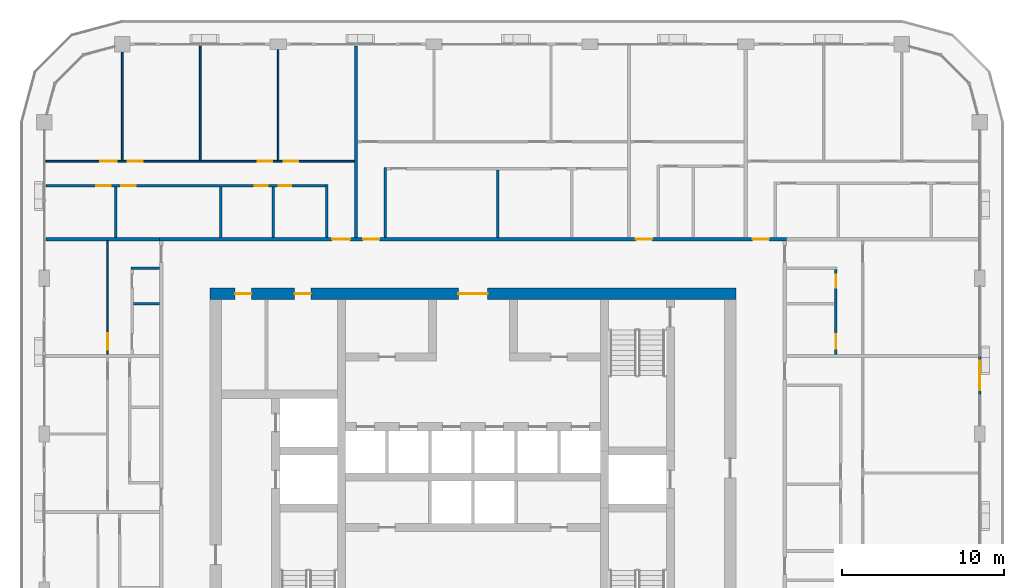
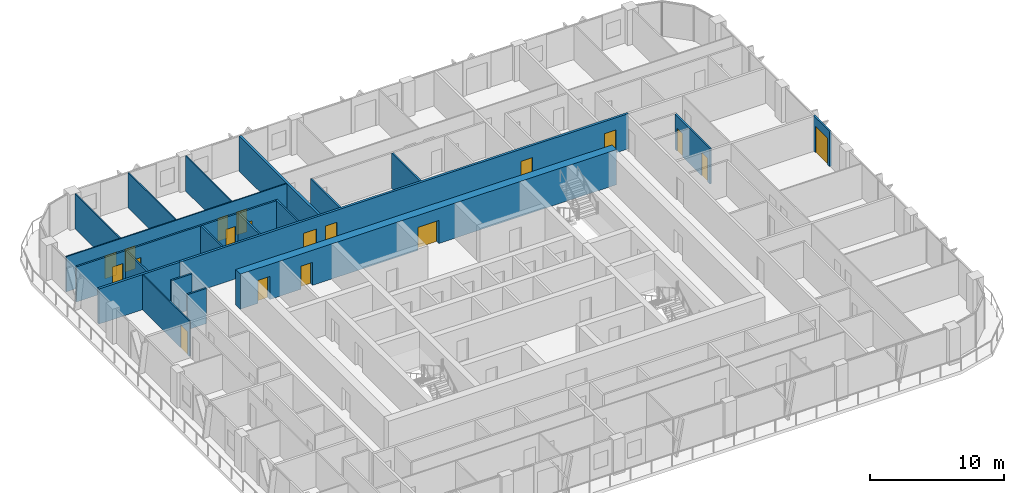
# One storey, part 13 of 22: 20 walls, 19 doors, 19 openings.
"""IFC4 building model written with IfcOpenShell, lengths in metres."""

from ifc_helpers import new_model, si_unit, direction, frame, frame_2d, origin, place, context, subcontext, project, spatial, rectangle, extrude, material, layer, layer_set, type_object, element, fill, save


model = new_model("IFC4")

# Units and contexts
model_context = context("Model", 3, precision=1e-05, world=origin(), true_north=direction((0.0, 1.0)))
body_context = subcontext(model_context, "Body", "Model", "MODEL_VIEW")
ifc_project = project(units=[si_unit("LENGTHUNIT", "METRE"), si_unit("AREAUNIT", "SQUARE_METRE"), si_unit("VOLUMEUNIT", "CUBIC_METRE"), si_unit("PLANEANGLEUNIT", "RADIAN"), si_unit("MASSUNIT", "GRAM", prefix="KILO")], contexts=[model_context])

# Site, building, storey
site_placement = place(None, origin())
site = spatial("IfcSite", under=ifc_project, at=site_placement, CompositionType="ELEMENT")
building_placement = place(site_placement, origin())
building = spatial("IfcBuilding", under=site, at=building_placement, Name="Madar Terraces", CompositionType="ELEMENT")
storey_placement = place(building_placement, frame((0.0, 0.0, 208.800048828125)))
storey = spatial("IfcBuildingStorey", under=building, at=storey_placement, Name="L54", CompositionType="ELEMENT", Elevation=208.800048828125)

# Wall, openings, doors
ifc_material_1 = material(Name="Concrete C60/75", Category="concrete")
ifc_layer_1 = layer(ifc_material_1, 0.699951171875)
ifc_layer_set_1 = layer_set([ifc_layer_1], Name="Concrete C60/75 (CRW4 RC wall 700)")
wall_type_1 = type_object("IfcWallType", Name="CRW4 RC wall 700", PredefinedType="SHEAR", material=ifc_layer_set_1)
wall_1_placement = place(storey_placement, frame((15.0, 37.449951171875, 0.0), z_axis=(0.0, 0.0, 1.0), x_axis=(1.0, 0.0, 0.0)))
wall_1 = element("IfcWall", 1, at=wall_1_placement, inside=storey, type_object=wall_type_1, Name="CORE OUTER WALL", PredefinedType="SHEAR", context=body_context, shape_type="SweptSolid", body=[
    extrude(rectangle(XDim=32.39990234375, YDim=0.699951171875, at=frame_2d((16.199951171875, 0.0))), origin(), (0.0, 0.0, 1.0), 3.199951171875),
])
opening_1_placement = place(wall_1_placement, frame((15.300048828125, 0.0, 0.0)))
opening_1 = element("IfcOpeningElement", 2, at=opening_1_placement, cuts=wall_1, Name="Opening KD1", PredefinedType="OPENING", context=body_context, shape_type="SweptSolid", body=[
    extrude(rectangle(XDim=1.800048828125, YDim=2.10009765625, at=frame_2d((0.89990234375, 1.050048828125))), frame((0.0, 0.35986328125, 0.0), z_axis=(0.0, -1.0, 0.0), x_axis=(1.0, 0.0, 0.0)), (0.0, 0.0, 1.0), 0.719970703125),
])
opening_2_placement = place(wall_1_placement, frame((1.544189453125, 0.0, 0.0)))
opening_2 = element("IfcOpeningElement", 3, at=opening_2_placement, cuts=wall_1, Name="Opening KD2", PredefinedType="OPENING", context=body_context, shape_type="SweptSolid", body=[
    extrude(rectangle(XDim=1.0, YDim=2.10009765625, at=frame_2d((0.5, 1.050048828125))), frame((0.0, 0.35986328125, 0.0), z_axis=(0.0, -1.0, 0.0), x_axis=(1.0, 0.0, 0.0)), (0.0, 0.0, 1.0), 0.719970703125),
])
opening_3_placement = place(wall_1_placement, frame((5.21923828125, 0.0, 0.0)))
opening_3 = element("IfcOpeningElement", 4, at=opening_3_placement, cuts=wall_1, Name="Opening KD2", PredefinedType="OPENING", context=body_context, shape_type="SweptSolid", body=[
    extrude(rectangle(XDim=1.0, YDim=2.10009765625, at=frame_2d((0.5, 1.050048828125))), frame((0.0, 0.35986328125, 0.0), z_axis=(0.0, -1.0, 0.0), x_axis=(1.0, 0.0, 0.0)), (0.0, 0.0, 1.0), 0.719970703125),
])
ifc_material_2 = material(Name="Steel door leaf", Category="steel")
door_type_1 = type_object("IfcDoorType", Name="Lobby door pair 1800 x 2100", OperationType="DOUBLE_DOOR_SINGLE_SWING", PredefinedType="DOOR", material=ifc_material_2)
door_1_placement = place(opening_1_placement, origin())
door_1 = element("IfcDoor", 5, at=door_1_placement, inside=storey, type_object=door_type_1, Name="LIFT LOBBY DOOR", OperationType="DOUBLE_DOOR_SINGLE_SWING", OverallHeight=2.10009765625, OverallWidth=1.800048828125, PredefinedType="DOOR", context=body_context, shape_type="SweptSolid", body=[
    extrude(rectangle(XDim=1.800048828125, YDim=2.10009765625, at=frame_2d((0.89990234375, 1.050048828125))), frame((0.0, 0.02490234375, 0.0), z_axis=(0.0, -1.0, 0.0), x_axis=(1.0, 0.0, 0.0)), (0.0, 0.0, 1.0), 0.050048828125),
])
fill(opening_1, door_1)
ifc_material_3 = material(Name="Steel door leaf", Category="steel")
door_type_2 = type_object("IfcDoorType", Name="Service room door 1000 x 2100", OperationType="NOTDEFINED", PredefinedType="DOOR", material=ifc_material_3)
door_2_placement = place(opening_2_placement, origin())
door_2 = element("IfcDoor", 6, at=door_2_placement, inside=storey, type_object=door_type_2, Name="SERVICE ROOM DOOR", OperationType="SINGLE_SWING_LEFT", OverallHeight=2.10009765625, OverallWidth=1.0, PredefinedType="DOOR", context=body_context, shape_type="SweptSolid", body=[
    extrude(rectangle(XDim=1.0, YDim=2.10009765625, at=frame_2d((0.5, 1.050048828125))), frame((0.0, 0.02490234375, 0.0), z_axis=(0.0, -1.0, 0.0), x_axis=(1.0, 0.0, 0.0)), (0.0, 0.0, 1.0), 0.050048828125),
])
fill(opening_2, door_2)
door_3_placement = place(opening_3_placement, origin())
door_3 = element("IfcDoor", 7, at=door_3_placement, inside=storey, type_object=door_type_2, Name="SERVICE ROOM DOOR", OperationType="SINGLE_SWING_RIGHT", OverallHeight=2.10009765625, OverallWidth=1.0, PredefinedType="DOOR", context=body_context, shape_type="SweptSolid", body=[
    extrude(rectangle(XDim=1.0, YDim=2.10009765625, at=frame_2d((0.5, 1.050048828125))), frame((0.0, 0.02490234375, 0.0), z_axis=(0.0, -1.0, 0.0), x_axis=(1.0, 0.0, 0.0)), (0.0, 0.0, 1.0), 0.050048828125),
])
fill(opening_3, door_3)

# Wall, opening, door
ifc_material_4 = material(Name="Aluminium composite panel, black, over insulated backing", Category="aluminium")
ifc_layer_2 = layer(ifc_material_4, 0.14990234375)
ifc_layer_set_2 = layer_set([ifc_layer_2], Name="Facade bay panel 150")
wall_type_2 = type_object("IfcWallType", Name="Facade bay panel 150", PredefinedType="SOLIDWALL", material=ifc_layer_set_2)
wall_2_placement = place(storey_placement, frame((62.39990234375, 31.199951171875, 0.0), z_axis=(0.0, 0.0, 1.0), x_axis=(0.0, 1.0, 0.0)))
wall_2 = element("IfcWall", 8, at=wall_2_placement, inside=storey, type_object=wall_type_2, Name="Facade bay panel", PredefinedType="SOLIDWALL", context=body_context, shape_type="SweptSolid", body=[
    extrude(rectangle(XDim=2.400146484375, YDim=0.14990234375, at=frame_2d((1.2001953125, 0.0))), origin(), (0.0, 0.0, 1.0), 3.199951171875),
])
opening_4_placement = place(wall_2_placement, frame((0.300048828125, 0.0, 0.0)))
opening_4 = element("IfcOpeningElement", 9, at=opening_4_placement, cuts=wall_2, Name="Opening ED1", PredefinedType="OPENING", context=body_context, shape_type="SweptSolid", body=[
    extrude(rectangle(XDim=1.800048828125, YDim=2.39990234375, at=frame_2d((0.89990234375, 1.199951171875))), frame((0.0, 0.0849609375, 0.0), z_axis=(0.0, -1.0, 0.0), x_axis=(1.0, 0.0, 0.0)), (0.0, 0.0, 1.0), 0.169921875),
])
ifc_material_5 = material(Name="Glass, clear, with black aluminium frame", Category="aluminium")
door_type_3 = type_object("IfcDoorType", Name="Balcony and terrace sliding door 1800 x 2400", OperationType="SLIDING_TO_LEFT", PredefinedType="DOOR", material=ifc_material_5)
door_4_placement = place(opening_4_placement, origin())
door_4 = element("IfcDoor", 10, at=door_4_placement, inside=storey, type_object=door_type_3, Name="Balcony door", OperationType="SLIDING_TO_RIGHT", OverallHeight=2.39990234375, OverallWidth=1.800048828125, PredefinedType="DOOR", context=body_context, shape_type="SweptSolid", body=[
    extrude(rectangle(XDim=1.800048828125, YDim=2.39990234375, at=frame_2d((0.89990234375, 1.199951171875))), frame((0.0, 0.02490234375, 0.0), z_axis=(0.0, -1.0, 0.0), x_axis=(1.0, 0.0, 0.0)), (0.0, 0.0, 1.0), 0.050048828125),
])
fill(opening_4, door_4)

# Walls
ifc_material_6 = material(Name="Gypsum board on steel studs", Category="steel")
ifc_layer_3 = layer(ifc_material_6, 0.10009765625)
ifc_layer_set_3 = layer_set([ifc_layer_3], Name="Flat partition 100")
wall_type_3 = type_object("IfcWallType", Name="Flat partition 100", PredefinedType="PARTITIONING", material=ifc_layer_set_3)
wall_3_placement = place(storey_placement, frame((19.199951171875, 45.64990234375, 0.0), z_axis=(0.0, 0.0, 1.0), x_axis=(0.0, 1.0, 0.0)))
element("IfcWall", 11, at=wall_3_placement, inside=storey, type_object=wall_type_3, Name="Flat partition 100", PredefinedType="PARTITIONING", context=body_context, shape_type="SweptSolid", body=[
    extrude(rectangle(XDim=6.8251953125, YDim=0.10009765625, at=frame_2d((3.41259765625, 0.0))), origin(), (0.0, 0.0, 1.0), 3.199951171875),
])
wall_4_placement = place(storey_placement, frame((14.39990234375, 45.64990234375, 0.0), z_axis=(0.0, 0.0, 1.0), x_axis=(0.0, 1.0, 0.0)))
element("IfcWall", 12, at=wall_4_placement, inside=storey, type_object=wall_type_3, Name="Flat partition 100", PredefinedType="PARTITIONING", context=body_context, shape_type="SweptSolid", body=[
    extrude(rectangle(XDim=7.050048828125, YDim=0.10009765625, at=frame_2d((3.52490234375, 0.0))), origin(), (0.0, 0.0, 1.0), 3.199951171875),
])
wall_5_placement = place(storey_placement, frame((9.60009765625, 45.64990234375, 0.0), z_axis=(0.0, 0.0, 1.0), x_axis=(0.0, 1.0, 0.0)))
element("IfcWall", 13, at=wall_5_placement, inside=storey, type_object=wall_type_3, Name="Flat partition 100", PredefinedType="PARTITIONING", context=body_context, shape_type="SweptSolid", body=[
    extrude(rectangle(XDim=6.675048828125, YDim=0.10009765625, at=frame_2d((3.33740234375, 0.0))), origin(), (0.0, 0.0, 1.0), 3.199951171875),
])

# Wall, openings, doors
wall_6_placement = place(storey_placement, frame((4.89990234375, 45.60009765625, 0.0), z_axis=(0.0, 0.0, 1.0), x_axis=(1.0, 0.0, 0.0)))
wall_6 = element("IfcWall", 14, at=wall_6_placement, inside=storey, type_object=wall_type_3, Name="Flat partition 100", PredefinedType="PARTITIONING", context=body_context, shape_type="SweptSolid", body=[
    extrude(rectangle(XDim=19.0, YDim=0.10009765625, at=frame_2d((9.5, 0.0))), origin(), (0.0, 0.0, 1.0), 3.199951171875),
])
opening_5_placement = place(wall_6_placement, frame((14.64990234375, 0.0, 0.0)))
opening_5 = element("IfcOpeningElement", 15, at=opening_5_placement, cuts=wall_6, Name="Opening D2", PredefinedType="OPENING", context=body_context, shape_type="SweptSolid", body=[
    extrude(rectangle(XDim=0.89990234375, YDim=2.10009765625, at=frame_2d((0.449951171875, 1.050048828125))), frame((0.0, 0.06005859375, 0.0), z_axis=(0.0, -1.0, 0.0), x_axis=(1.0, 0.0, 0.0)), (0.0, 0.0, 1.0), 0.1201171875),
])
opening_6_placement = place(wall_6_placement, frame((13.050048828125, 0.0, 0.0)))
opening_6 = element("IfcOpeningElement", 16, at=opening_6_placement, cuts=wall_6, Name="Opening D2", PredefinedType="OPENING", context=body_context, shape_type="SweptSolid", body=[
    extrude(rectangle(XDim=0.89990234375, YDim=2.10009765625, at=frame_2d((0.449951171875, 1.050048828125))), frame((0.0, 0.06005859375, 0.0), z_axis=(0.0, -1.0, 0.0), x_axis=(1.0, 0.0, 0.0)), (0.0, 0.0, 1.0), 0.1201171875),
])
opening_7_placement = place(wall_6_placement, frame((5.050048828125, 0.0, 0.0)))
opening_7 = element("IfcOpeningElement", 17, at=opening_7_placement, cuts=wall_6, Name="Opening D2", PredefinedType="OPENING", context=body_context, shape_type="SweptSolid", body=[
    extrude(rectangle(XDim=0.89990234375, YDim=2.10009765625, at=frame_2d((0.449951171875, 1.050048828125))), frame((0.0, 0.06005859375, 0.0), z_axis=(0.0, -1.0, 0.0), x_axis=(1.0, 0.0, 0.0)), (0.0, 0.0, 1.0), 0.1201171875),
])
opening_8_placement = place(wall_6_placement, frame((3.35009765625, 0.0, 0.0)))
opening_8 = element("IfcOpeningElement", 18, at=opening_8_placement, cuts=wall_6, Name="Opening D3", PredefinedType="OPENING", context=body_context, shape_type="SweptSolid", body=[
    extrude(rectangle(XDim=1.0, YDim=2.10009765625, at=frame_2d((0.5, 1.050048828125))), frame((0.0, 0.06005859375, 0.0), z_axis=(0.0, -1.0, 0.0), x_axis=(1.0, 0.0, 0.0)), (0.0, 0.0, 1.0), 0.1201171875),
])
ifc_material_7 = material(Name="Timber door leaf", Category="wood")
door_type_4 = type_object("IfcDoorType", Name="Flat living room door 1000", OperationType="NOTDEFINED", PredefinedType="DOOR", material=ifc_material_7)
door_5_placement = place(opening_8_placement, origin())
door_5 = element("IfcDoor", 19, at=door_5_placement, inside=storey, type_object=door_type_4, Name="Flat living room door 1000", OperationType="SINGLE_SWING_RIGHT", OverallHeight=2.10009765625, OverallWidth=1.0, PredefinedType="DOOR", context=body_context, shape_type="SweptSolid", body=[
    extrude(rectangle(XDim=1.0, YDim=2.10009765625, at=frame_2d((0.5, 1.050048828125))), frame((0.0, 0.02490234375, 0.0), z_axis=(0.0, -1.0, 0.0), x_axis=(1.0, 0.0, 0.0)), (0.0, 0.0, 1.0), 0.050048828125),
])
fill(opening_8, door_5)
ifc_material_8 = material(Name="Timber door leaf", Category="wood")
door_type_5 = type_object("IfcDoorType", Name="Flat room door 900", OperationType="NOTDEFINED", PredefinedType="DOOR", material=ifc_material_8)
door_6_placement = place(opening_5_placement, origin())
door_6 = element("IfcDoor", 20, at=door_6_placement, inside=storey, type_object=door_type_5, Name="Flat room door 900", OperationType="SINGLE_SWING_LEFT", OverallHeight=2.10009765625, OverallWidth=0.89990234375, PredefinedType="DOOR", context=body_context, shape_type="SweptSolid", body=[
    extrude(rectangle(XDim=0.89990234375, YDim=2.10009765625, at=frame_2d((0.449951171875, 1.050048828125))), frame((0.0, 0.02490234375, 0.0), z_axis=(0.0, -1.0, 0.0), x_axis=(1.0, 0.0, 0.0)), (0.0, 0.0, 1.0), 0.050048828125),
])
fill(opening_5, door_6)
door_7_placement = place(opening_6_placement, origin())
door_7 = element("IfcDoor", 21, at=door_7_placement, inside=storey, type_object=door_type_5, Name="Flat room door 900", OperationType="SINGLE_SWING_RIGHT", OverallHeight=2.10009765625, OverallWidth=0.89990234375, PredefinedType="DOOR", context=body_context, shape_type="SweptSolid", body=[
    extrude(rectangle(XDim=0.89990234375, YDim=2.10009765625, at=frame_2d((0.449951171875, 1.050048828125))), frame((0.0, 0.02490234375, 0.0), z_axis=(0.0, -1.0, 0.0), x_axis=(1.0, 0.0, 0.0)), (0.0, 0.0, 1.0), 0.050048828125),
])
fill(opening_6, door_7)
door_8_placement = place(opening_7_placement, origin())
door_8 = element("IfcDoor", 22, at=door_8_placement, inside=storey, type_object=door_type_5, Name="Flat room door 900", OperationType="SINGLE_SWING_LEFT", OverallHeight=2.10009765625, OverallWidth=0.89990234375, PredefinedType="DOOR", context=body_context, shape_type="SweptSolid", body=[
    extrude(rectangle(XDim=0.89990234375, YDim=2.10009765625, at=frame_2d((0.449951171875, 1.050048828125))), frame((0.0, 0.02490234375, 0.0), z_axis=(0.0, -1.0, 0.0), x_axis=(1.0, 0.0, 0.0)), (0.0, 0.0, 1.0), 0.050048828125),
])
fill(opening_7, door_8)

# Wall, opening, door
wall_7_placement = place(storey_placement, frame((8.699951171875, 33.699951171875, 0.0), z_axis=(0.0, 0.0, 1.0), x_axis=(0.0, 1.0, 0.0)))
wall_7 = element("IfcWall", 23, at=wall_7_placement, inside=storey, type_object=wall_type_3, Name="Flat partition 100", PredefinedType="PARTITIONING", context=body_context, shape_type="SweptSolid", body=[
    extrude(rectangle(XDim=7.0, YDim=0.10009765625, at=frame_2d((3.5, 0.0))), origin(), (0.0, 0.0, 1.0), 3.199951171875),
])
opening_9_placement = place(wall_7_placement, frame((0.300048828125, 0.0, 0.0)))
opening_9 = element("IfcOpeningElement", 24, at=opening_9_placement, cuts=wall_7, Name="Opening D3", PredefinedType="OPENING", context=body_context, shape_type="SweptSolid", body=[
    extrude(rectangle(XDim=1.0, YDim=2.10009765625, at=frame_2d((0.5, 1.050048828125))), frame((0.0, 0.06005859375, 0.0), z_axis=(0.0, -1.0, 0.0), x_axis=(1.0, 0.0, 0.0)), (0.0, 0.0, 1.0), 0.1201171875),
])
door_9_placement = place(opening_9_placement, origin())
door_9 = element("IfcDoor", 25, at=door_9_placement, inside=storey, type_object=door_type_4, Name="Flat living room door 1000", OperationType="SINGLE_SWING_LEFT", OverallHeight=2.10009765625, OverallWidth=1.0, PredefinedType="DOOR", context=body_context, shape_type="SweptSolid", body=[
    extrude(rectangle(XDim=1.0, YDim=2.10009765625, at=frame_2d((0.5, 1.050048828125))), frame((0.0, 0.02490234375, 0.0), z_axis=(0.0, -1.0, 0.0), x_axis=(1.0, 0.0, 0.0)), (0.0, 0.0, 1.0), 0.050048828125),
])
fill(opening_9, door_9)

# Wall, openings, doors
ifc_material_9 = material(Name="Lightweight blockwork", Category="masonry")
ifc_layer_4 = layer(ifc_material_9, 0.199951171875)
ifc_layer_set_4 = layer_set([ifc_layer_4], Name="Flat party and entrance wall 200")
wall_type_4 = type_object("IfcWallType", Name="Flat party and entrance wall 200", PredefinedType="PARTITIONING", material=ifc_layer_set_4)
wall_8_placement = place(storey_placement, frame((11.89990234375, 40.800048828125, 0.0), z_axis=(0.0, 0.0, 1.0), x_axis=(1.0, 0.0, 0.0)))
wall_8 = element("IfcWall", 26, at=wall_8_placement, inside=storey, type_object=wall_type_4, Name="Flat party and entrance wall 200", PredefinedType="PARTITIONING", context=body_context, shape_type="SweptSolid", body=[
    extrude(rectangle(XDim=38.60009765625, YDim=0.199951171875, at=frame_2d((19.300048828125, 0.0))), origin(), (0.0, 0.0, 1.0), 3.199951171875),
])
opening_10_placement = place(wall_8_placement, frame((36.52490234375, 0.0, 0.0)))
opening_10 = element("IfcOpeningElement", 27, at=opening_10_placement, cuts=wall_8, Name="Opening D1", PredefinedType="OPENING", context=body_context, shape_type="SweptSolid", body=[
    extrude(rectangle(XDim=1.0, YDim=2.10009765625, at=frame_2d((0.5, 1.050048828125))), frame((0.0, 0.10986328125, 0.0), z_axis=(0.0, -1.0, 0.0), x_axis=(1.0, 0.0, 0.0)), (0.0, 0.0, 1.0), 0.219970703125),
])
opening_11_placement = place(wall_8_placement, frame((29.324951171875, 0.0, 0.0)))
opening_11 = element("IfcOpeningElement", 28, at=opening_11_placement, cuts=wall_8, Name="Opening D1", PredefinedType="OPENING", context=body_context, shape_type="SweptSolid", body=[
    extrude(rectangle(XDim=1.0, YDim=2.10009765625, at=frame_2d((0.5, 1.050048828125))), frame((0.0, 0.10986328125, 0.0), z_axis=(0.0, -1.0, 0.0), x_axis=(1.0, 0.0, 0.0)), (0.0, 0.0, 1.0), 0.219970703125),
])
opening_12_placement = place(wall_8_placement, frame((12.52490234375, 0.0, 0.0)))
opening_12 = element("IfcOpeningElement", 29, at=opening_12_placement, cuts=wall_8, Name="Opening D1", PredefinedType="OPENING", context=body_context, shape_type="SweptSolid", body=[
    extrude(rectangle(XDim=1.0, YDim=2.10009765625, at=frame_2d((0.5, 1.050048828125))), frame((0.0, 0.10986328125, 0.0), z_axis=(0.0, -1.0, 0.0), x_axis=(1.0, 0.0, 0.0)), (0.0, 0.0, 1.0), 0.219970703125),
])
opening_13_placement = place(wall_8_placement, frame((10.625, 0.0, 0.0)))
opening_13 = element("IfcOpeningElement", 30, at=opening_13_placement, cuts=wall_8, Name="Opening D6", PredefinedType="OPENING", context=body_context, shape_type="SweptSolid", body=[
    extrude(rectangle(XDim=1.10009765625, YDim=2.10009765625, at=frame_2d((0.550048828125, 1.050048828125))), frame((0.0, 0.10986328125, 0.0), z_axis=(0.0, -1.0, 0.0), x_axis=(1.0, 0.0, 0.0)), (0.0, 0.0, 1.0), 0.219970703125),
])
ifc_material_10 = material(Name="Timber fire door leaf", Category="wood")
door_type_6 = type_object("IfcDoorType", Name="Flat entrance door 1000 FD30S", OperationType="NOTDEFINED", PredefinedType="DOOR", material=ifc_material_10)
door_10_placement = place(opening_10_placement, origin())
door_10 = element("IfcDoor", 31, at=door_10_placement, inside=storey, type_object=door_type_6, Name="Flat entrance door 1000 FD30S", OperationType="SINGLE_SWING_LEFT", OverallHeight=2.10009765625, OverallWidth=1.0, PredefinedType="DOOR", context=body_context, shape_type="SweptSolid", body=[
    extrude(rectangle(XDim=1.0, YDim=2.10009765625, at=frame_2d((0.5, 1.050048828125))), frame((0.0, 0.02490234375, 0.0), z_axis=(0.0, -1.0, 0.0), x_axis=(1.0, 0.0, 0.0)), (0.0, 0.0, 1.0), 0.050048828125),
])
fill(opening_10, door_10)
door_11_placement = place(opening_11_placement, origin())
door_11 = element("IfcDoor", 32, at=door_11_placement, inside=storey, type_object=door_type_6, Name="Flat entrance door 1000 FD30S", OperationType="SINGLE_SWING_LEFT", OverallHeight=2.10009765625, OverallWidth=1.0, PredefinedType="DOOR", context=body_context, shape_type="SweptSolid", body=[
    extrude(rectangle(XDim=1.0, YDim=2.10009765625, at=frame_2d((0.5, 1.050048828125))), frame((0.0, 0.02490234375, 0.0), z_axis=(0.0, -1.0, 0.0), x_axis=(1.0, 0.0, 0.0)), (0.0, 0.0, 1.0), 0.050048828125),
])
fill(opening_11, door_11)
door_12_placement = place(opening_12_placement, origin())
door_12 = element("IfcDoor", 33, at=door_12_placement, inside=storey, type_object=door_type_6, Name="Flat entrance door 1000 FD30S", OperationType="SINGLE_SWING_LEFT", OverallHeight=2.10009765625, OverallWidth=1.0, PredefinedType="DOOR", context=body_context, shape_type="SweptSolid", body=[
    extrude(rectangle(XDim=1.0, YDim=2.10009765625, at=frame_2d((0.5, 1.050048828125))), frame((0.0, 0.02490234375, 0.0), z_axis=(0.0, -1.0, 0.0), x_axis=(1.0, 0.0, 0.0)), (0.0, 0.0, 1.0), 0.050048828125),
])
fill(opening_12, door_12)
ifc_material_11 = material(Name="Timber fire door leaf", Category="wood")
door_type_7 = type_object("IfcDoorType", Name="Flat entrance door 1100 FD30S", OperationType="NOTDEFINED", PredefinedType="DOOR", material=ifc_material_11)
door_13_placement = place(opening_13_placement, origin())
door_13 = element("IfcDoor", 34, at=door_13_placement, inside=storey, type_object=door_type_7, Name="Flat entrance door 1100 FD30S", OperationType="SINGLE_SWING_RIGHT", OverallHeight=2.10009765625, OverallWidth=1.10009765625, PredefinedType="DOOR", context=body_context, shape_type="SweptSolid", body=[
    extrude(rectangle(XDim=1.10009765625, YDim=2.10009765625, at=frame_2d((0.550048828125, 1.050048828125))), frame((0.0, 0.02490234375, 0.0), z_axis=(0.0, -1.0, 0.0), x_axis=(1.0, 0.0, 0.0)), (0.0, 0.0, 1.0), 0.050048828125),
])
fill(opening_13, door_13)

# Walls
wall_9_placement = place(storey_placement, frame((24.0, 52.699951171875, 0.0), z_axis=(0.0, 0.0, 1.0), x_axis=(0.0, -1.0, 0.0)))
element("IfcWall", 35, at=wall_9_placement, inside=storey, type_object=wall_type_4, Name="Flat party and entrance wall 200", PredefinedType="PARTITIONING", context=body_context, shape_type="SweptSolid", body=[
    extrude(rectangle(XDim=11.800048828125, YDim=0.199951171875, at=frame_2d((5.89990234375, 0.0))), origin(), (0.0, 0.0, 1.0), 3.199951171875),
])
wall_10_placement = place(storey_placement, frame((4.89990234375, 40.800048828125, 0.0), z_axis=(0.0, 0.0, 1.0), x_axis=(1.0, 0.0, 0.0)))
element("IfcWall", 36, at=wall_10_placement, inside=storey, type_object=wall_type_4, Name="Flat party and entrance wall 200", PredefinedType="PARTITIONING", context=body_context, shape_type="SweptSolid", body=[
    extrude(rectangle(XDim=7.0, YDim=0.199951171875, at=frame_2d((3.5, 0.0))), origin(), (0.0, 0.0, 1.0), 3.199951171875),
])

# Wall, openings, doors
ifc_material_12 = material(Name="Lightweight blockwork", Category="masonry")
ifc_layer_5 = layer(ifc_material_12, 0.14990234375)
ifc_layer_set_5 = layer_set([ifc_layer_5], Name="Flat wet-room partition 150")
wall_type_5 = type_object("IfcWallType", Name="Flat wet-room partition 150", PredefinedType="PARTITIONING", material=ifc_layer_set_5)
wall_11_placement = place(storey_placement, frame((53.550048828125, 33.699951171875, 0.0), z_axis=(0.0, 0.0, 1.0), x_axis=(0.0, 1.0, 0.0)))
wall_11 = element("IfcWall", 37, at=wall_11_placement, inside=storey, type_object=wall_type_5, Name="Flat wet-room partition 150", PredefinedType="PARTITIONING", context=body_context, shape_type="SweptSolid", body=[
    extrude(rectangle(XDim=5.22509765625, YDim=0.14990234375, at=frame_2d((2.612548828125, 0.0))), origin(), (0.0, 0.0, 1.0), 3.199951171875),
])
opening_14_placement = place(wall_11_placement, frame((4.125, 0.0, 0.0)))
opening_14 = element("IfcOpeningElement", 38, at=opening_14_placement, cuts=wall_11, Name="Opening D4", PredefinedType="OPENING", context=body_context, shape_type="SweptSolid", body=[
    extrude(rectangle(XDim=0.800048828125, YDim=2.10009765625, at=frame_2d((0.39990234375, 1.050048828125))), frame((0.0, 0.0849609375, 0.0), z_axis=(0.0, -1.0, 0.0), x_axis=(1.0, 0.0, 0.0)), (0.0, 0.0, 1.0), 0.169921875),
])
opening_15_placement = place(wall_11_placement, frame((0.35009765625, 0.0, 0.0)))
opening_15 = element("IfcOpeningElement", 39, at=opening_15_placement, cuts=wall_11, Name="Opening D2", PredefinedType="OPENING", context=body_context, shape_type="SweptSolid", body=[
    extrude(rectangle(XDim=0.89990234375, YDim=2.10009765625, at=frame_2d((0.449951171875, 1.050048828125))), frame((0.0, 0.0849609375, 0.0), z_axis=(0.0, -1.0, 0.0), x_axis=(1.0, 0.0, 0.0)), (0.0, 0.0, 1.0), 0.169921875),
])
ifc_material_13 = material(Name="Timber door leaf", Category="wood")
door_type_8 = type_object("IfcDoorType", Name="Flat bathroom door 800", OperationType="NOTDEFINED", PredefinedType="DOOR", material=ifc_material_13)
door_14_placement = place(opening_14_placement, origin())
door_14 = element("IfcDoor", 40, at=door_14_placement, inside=storey, type_object=door_type_8, Name="Flat bathroom door 800", OperationType="SINGLE_SWING_RIGHT", OverallHeight=2.10009765625, OverallWidth=0.800048828125, PredefinedType="DOOR", context=body_context, shape_type="SweptSolid", body=[
    extrude(rectangle(XDim=0.800048828125, YDim=2.10009765625, at=frame_2d((0.39990234375, 1.050048828125))), frame((0.0, 0.02490234375, 0.0), z_axis=(0.0, -1.0, 0.0), x_axis=(1.0, 0.0, 0.0)), (0.0, 0.0, 1.0), 0.050048828125),
])
fill(opening_14, door_14)
door_15_placement = place(opening_15_placement, origin())
door_15 = element("IfcDoor", 41, at=door_15_placement, inside=storey, type_object=door_type_5, Name="Flat room door 900", OperationType="SINGLE_SWING_LEFT", OverallHeight=2.10009765625, OverallWidth=0.89990234375, PredefinedType="DOOR", context=body_context, shape_type="SweptSolid", body=[
    extrude(rectangle(XDim=0.89990234375, YDim=2.10009765625, at=frame_2d((0.449951171875, 1.050048828125))), frame((0.0, 0.02490234375, 0.0), z_axis=(0.0, -1.0, 0.0), x_axis=(1.0, 0.0, 0.0)), (0.0, 0.0, 1.0), 0.050048828125),
])
fill(opening_15, door_15)

# Walls
wall_12_placement = place(storey_placement, frame((32.71728515625, 40.89990234375, 0.0), z_axis=(0.0, 0.0, 1.0), x_axis=(0.0, 1.0, 0.0)))
element("IfcWall", 42, at=wall_12_placement, inside=storey, type_object=wall_type_5, Name="Flat wet-room partition 150", PredefinedType="PARTITIONING", context=body_context, shape_type="SweptSolid", body=[
    extrude(rectangle(XDim=4.175048828125, YDim=0.14990234375, at=frame_2d((2.08740234375, 0.0))), origin(), (0.0, 0.0, 1.0), 3.199951171875),
])
wall_13_placement = place(storey_placement, frame((25.800048828125, 40.89990234375, 0.0), z_axis=(0.0, 0.0, 1.0), x_axis=(0.0, 1.0, 0.0)))
element("IfcWall", 43, at=wall_13_placement, inside=storey, type_object=wall_type_5, Name="Flat wet-room partition 150", PredefinedType="PARTITIONING", context=body_context, shape_type="SweptSolid", body=[
    extrude(rectangle(XDim=4.3251953125, YDim=0.14990234375, at=frame_2d((2.16259765625, 0.0))), origin(), (0.0, 0.0, 1.0), 3.199951171875),
])
for number, where, z_axis, x_axis, name in (
    (44, (18.895263671875, 40.89990234375, 0.0), (0.0, 0.0, 1.0), (0.0, 1.0, 0.0), "Flat wet-room partition 150"),
    (45, (15.66552734375, 40.89990234375, 0.0), (0.0, 0.0, 1.0), (0.0, 1.0, 0.0), "Flat wet-room partition 150"),
    (46, (9.206298828125, 40.89990234375, 0.0), (0.0, 0.0, 1.0), (0.0, 1.0, 0.0), "Flat wet-room partition 150"),
):
    element("IfcWall", number, at=place(storey_placement, frame(where, z_axis=z_axis, x_axis=x_axis)), inside=storey, type_object=wall_type_5, Name=name, PredefinedType="PARTITIONING", context=body_context, shape_type="SweptSolid", body=[
        extrude(rectangle(XDim=3.125, YDim=0.14990234375, at=frame_2d((1.5625, 0.0))), origin(), (0.0, 0.0, 1.0), 3.199951171875),
    ])
wall_14_placement = place(storey_placement, frame((22.199951171875, 40.89990234375, 0.0), z_axis=(0.0, 0.0, 1.0), x_axis=(0.0, 1.0, 0.0)))
element("IfcWall", 47, at=wall_14_placement, inside=storey, type_object=wall_type_5, Name="Flat wet-room partition 150", PredefinedType="PARTITIONING", context=body_context, shape_type="SweptSolid", body=[
    extrude(rectangle(XDim=3.275146484375, YDim=0.14990234375, at=frame_2d((1.6376953125, 0.0))), origin(), (0.0, 0.0, 1.0), 3.199951171875),
])

# Wall, openings, doors
wall_15_placement = place(storey_placement, frame((22.125, 44.10009765625, 0.0), z_axis=(0.0, 0.0, 1.0), x_axis=(-1.0, 0.0, 0.0)))
wall_15 = element("IfcWall", 48, at=wall_15_placement, inside=storey, type_object=wall_type_5, Name="Flat wet-room partition 150", PredefinedType="PARTITIONING", context=body_context, shape_type="SweptSolid", body=[
    extrude(rectangle(XDim=17.22509765625, YDim=0.14990234375, at=frame_2d((8.612548828125, 0.0))), origin(), (0.0, 0.0, 1.0), 3.199951171875),
])
opening_16_placement = place(wall_15_placement, frame((2.104736328125, 0.0, 0.0)))
opening_16 = element("IfcOpeningElement", 49, at=opening_16_placement, cuts=wall_15, Name="Opening D4", PredefinedType="OPENING", context=body_context, shape_type="SweptSolid", body=[
    extrude(rectangle(XDim=0.800048828125, YDim=2.10009765625, at=frame_2d((0.39990234375, 1.050048828125))), frame((0.0, 0.0849609375, 0.0), z_axis=(0.0, -1.0, 0.0), x_axis=(1.0, 0.0, 0.0)), (0.0, 0.0, 1.0), 0.169921875),
])
opening_17_placement = place(wall_15_placement, frame((3.5546875, 0.0, 0.0)))
opening_17 = element("IfcOpeningElement", 50, at=opening_17_placement, cuts=wall_15, Name="Opening D7", PredefinedType="OPENING", context=body_context, shape_type="SweptSolid", body=[
    extrude(rectangle(XDim=0.800048828125, YDim=2.10009765625, at=frame_2d((0.39990234375, 1.050048828125))), frame((0.0, 0.0849609375, 0.0), z_axis=(0.0, -1.0, 0.0), x_axis=(1.0, 0.0, 0.0)), (0.0, 0.0, 1.0), 0.169921875),
])
opening_18_placement = place(wall_15_placement, frame((11.69384765625, 0.0, 0.0)))
opening_18 = element("IfcOpeningElement", 51, at=opening_18_placement, cuts=wall_15, Name="Opening D2", PredefinedType="OPENING", context=body_context, shape_type="SweptSolid", body=[
    extrude(rectangle(XDim=0.89990234375, YDim=2.10009765625, at=frame_2d((0.449951171875, 1.050048828125))), frame((0.0, 0.0849609375, 0.0), z_axis=(0.0, -1.0, 0.0), x_axis=(1.0, 0.0, 0.0)), (0.0, 0.0, 1.0), 0.169921875),
])
opening_19_placement = place(wall_15_placement, frame((13.243896484375, 0.0, 0.0)))
opening_19 = element("IfcOpeningElement", 52, at=opening_19_placement, cuts=wall_15, Name="Opening D5", PredefinedType="OPENING", context=body_context, shape_type="SweptSolid", body=[
    extrude(rectangle(XDim=0.89990234375, YDim=2.10009765625, at=frame_2d((0.449951171875, 1.050048828125))), frame((0.0, 0.0849609375, 0.0), z_axis=(0.0, -1.0, 0.0), x_axis=(1.0, 0.0, 0.0)), (0.0, 0.0, 1.0), 0.169921875),
])
ifc_material_14 = material(Name="Timber door leaf", Category="wood")
door_type_9 = type_object("IfcDoorType", Name="Flat accessible bathroom door 900", OperationType="NOTDEFINED", PredefinedType="DOOR", material=ifc_material_14)
door_16_placement = place(opening_19_placement, origin())
door_16 = element("IfcDoor", 53, at=door_16_placement, inside=storey, type_object=door_type_9, Name="Flat accessible bathroom door 900", OperationType="SINGLE_SWING_LEFT", OverallHeight=2.10009765625, OverallWidth=0.89990234375, PredefinedType="DOOR", context=body_context, shape_type="SweptSolid", body=[
    extrude(rectangle(XDim=0.89990234375, YDim=2.10009765625, at=frame_2d((0.449951171875, 1.050048828125))), frame((0.0, 0.02490234375, 0.0), z_axis=(0.0, -1.0, 0.0), x_axis=(1.0, 0.0, 0.0)), (0.0, 0.0, 1.0), 0.050048828125),
])
fill(opening_19, door_16)
door_17_placement = place(opening_16_placement, origin())
door_17 = element("IfcDoor", 54, at=door_17_placement, inside=storey, type_object=door_type_8, Name="Flat bathroom door 800", OperationType="SINGLE_SWING_RIGHT", OverallHeight=2.10009765625, OverallWidth=0.800048828125, PredefinedType="DOOR", context=body_context, shape_type="SweptSolid", body=[
    extrude(rectangle(XDim=0.800048828125, YDim=2.10009765625, at=frame_2d((0.39990234375, 1.050048828125))), frame((0.0, 0.02490234375, 0.0), z_axis=(0.0, -1.0, 0.0), x_axis=(1.0, 0.0, 0.0)), (0.0, 0.0, 1.0), 0.050048828125),
])
fill(opening_16, door_17)
door_18_placement = place(opening_18_placement, origin())
door_18 = element("IfcDoor", 55, at=door_18_placement, inside=storey, type_object=door_type_5, Name="Flat room door 900", OperationType="SINGLE_SWING_RIGHT", OverallHeight=2.10009765625, OverallWidth=0.89990234375, PredefinedType="DOOR", context=body_context, shape_type="SweptSolid", body=[
    extrude(rectangle(XDim=0.89990234375, YDim=2.10009765625, at=frame_2d((0.449951171875, 1.050048828125))), frame((0.0, 0.02490234375, 0.0), z_axis=(0.0, -1.0, 0.0), x_axis=(1.0, 0.0, 0.0)), (0.0, 0.0, 1.0), 0.050048828125),
])
fill(opening_18, door_18)
ifc_material_15 = material(Name="Timber door leaf", Category="wood")
door_type_10 = type_object("IfcDoorType", Name="Flat utility door 800", OperationType="NOTDEFINED", PredefinedType="DOOR", material=ifc_material_15)
door_19_placement = place(opening_17_placement, origin())
door_19 = element("IfcDoor", 56, at=door_19_placement, inside=storey, type_object=door_type_10, Name="Flat utility door 800", OperationType="SINGLE_SWING_LEFT", OverallHeight=2.10009765625, OverallWidth=0.800048828125, PredefinedType="DOOR", context=body_context, shape_type="SweptSolid", body=[
    extrude(rectangle(XDim=0.800048828125, YDim=2.10009765625, at=frame_2d((0.39990234375, 1.050048828125))), frame((0.0, 0.02490234375, 0.0), z_axis=(0.0, -1.0, 0.0), x_axis=(1.0, 0.0, 0.0)), (0.0, 0.0, 1.0), 0.050048828125),
])
fill(opening_17, door_19)

# Walls
wall_16_placement = place(storey_placement, frame((11.89990234375, 36.8349609375, 0.0), z_axis=(0.0, 0.0, 1.0), x_axis=(-1.0, 0.0, 0.0)))
element("IfcWall", 57, at=wall_16_placement, inside=storey, type_object=wall_type_5, Name="Flat wet-room partition 150", PredefinedType="PARTITIONING", context=body_context, shape_type="SweptSolid", body=[
    extrude(rectangle(XDim=1.625, YDim=0.14990234375, at=frame_2d((0.8125, 0.0))), origin(), (0.0, 0.0, 1.0), 3.199951171875),
])
wall_17_placement = place(storey_placement, frame((11.89990234375, 39.0, 0.0), z_axis=(0.0, 0.0, 1.0), x_axis=(-1.0, 0.0, 0.0)))
element("IfcWall", 58, at=wall_17_placement, inside=storey, type_object=wall_type_5, Name="Flat wet-room partition 150", PredefinedType="PARTITIONING", context=body_context, shape_type="SweptSolid", body=[
    extrude(rectangle(XDim=1.77490234375, YDim=0.14990234375, at=frame_2d((0.887451171875, 0.0))), origin(), (0.0, 0.0, 1.0), 3.199951171875),
])

save(model, "model.ifc")
